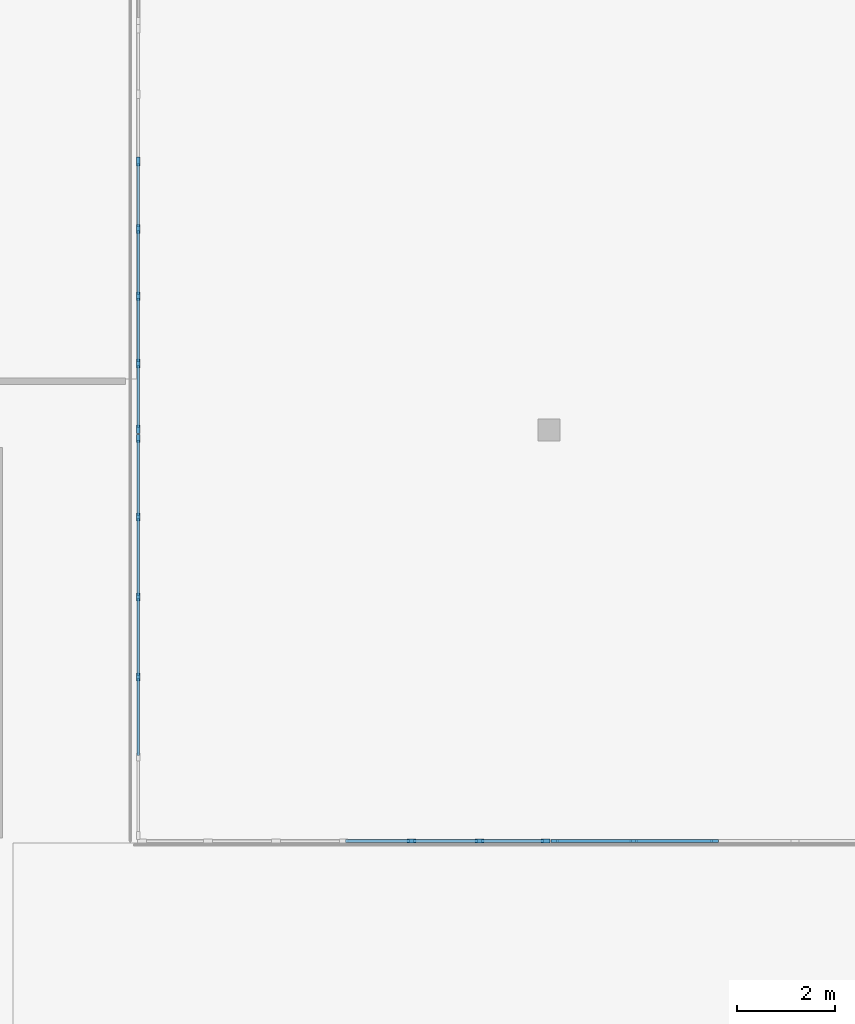
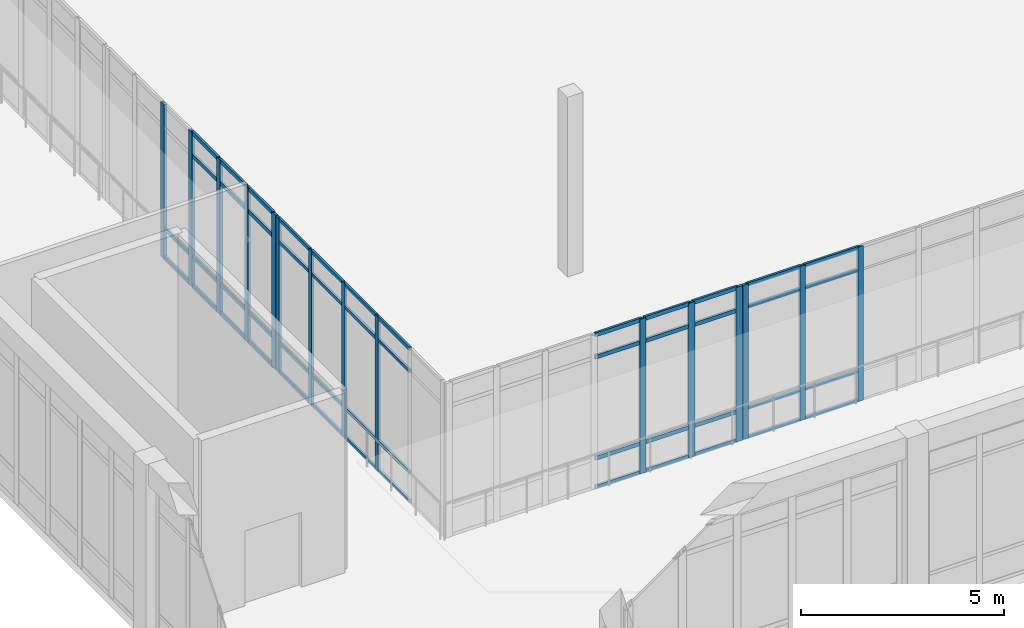
# One storey, part 17 of 157: 65 members, 4 elements without a shape of their own.
"""IFC4 building model written with IfcOpenShell, lengths in metres."""

from ifc_helpers import new_model, si_unit, direction, frame, origin, origin_2d, place, context, subcontext, project, spatial, rectangle, extrude, material, material_profile, profile_set, type_object, element, aggregate, save


model = new_model("IFC4")

# Units and contexts
model_context = context("Model", 3, precision=1e-05, world=origin(), true_north=direction((0.0, 1.0)))
body_context = subcontext(model_context, "Body", "Model", "MODEL_VIEW")
ifc_project = project(units=[si_unit("LENGTHUNIT", "METRE"), si_unit("AREAUNIT", "SQUARE_METRE"), si_unit("VOLUMEUNIT", "CUBIC_METRE"), si_unit("PLANEANGLEUNIT", "RADIAN"), si_unit("MASSUNIT", "GRAM", prefix="KILO")], contexts=[model_context])

# Site, building, storey
site_placement = place(None, origin())
site = spatial("IfcSite", under=ifc_project, at=site_placement, CompositionType="ELEMENT")
building_placement = place(site_placement, origin())
building = spatial("IfcBuilding", under=site, at=building_placement, Name="Varncliffe General Hospital", CompositionType="ELEMENT")
storey_placement = place(building_placement, frame((0.0, 0.0, 5.39990234375)))
storey = spatial("IfcBuildingStorey", under=building, at=storey_placement, Name="L01", CompositionType="ELEMENT", Elevation=5.39990234375)

# Curtain wall, members
ifc_material_1 = material(Name="Triple low-E argon insulated vision glazing", Category="glass")
curtain_wall_type_1 = type_object("IfcCurtainWallType", Name="Unitised Glazed Curtain Wall CW74 (8320x4640)", PredefinedType="USERDEFINED", material=ifc_material_1)
curtain_wall_1_placement = place(storey_placement, origin())
curtain_wall_1 = element("IfcCurtainWall", 1, at=curtain_wall_1_placement, inside=storey, type_object=curtain_wall_type_1, Name="L01 Glazed Curtain Wall CW74-91", ObjectType="GLAZED CURTAIN WALL", PredefinedType="USERDEFINED")
ifc_material_2 = material(Name="Dark bronze thermally broken aluminium framing", Category="aluminium")
ifc_material_profile_1 = material_profile(ifc_material_2, rectangle(XDim=0.074951171875, YDim=0.179931640625, at=origin_2d()), Name="ALU 75x180")
ifc_profile_set_1 = profile_set([ifc_material_profile_1], Name="Dark bronze thermally broken aluminium framing")
member_type_1 = type_object("IfcMemberType", Name="Curtain Wall Mullion CM44 (ALU 75x180)", PredefinedType="MULLION", material=ifc_profile_set_1)
member_1_placement = place(storey_placement, frame((72.78662109375, 15.60009765625, 0.0), z_axis=(0.0, 0.0, 1.0), x_axis=(0.0, 1.0, 0.0)))
member_1 = element("IfcMember", 2, at=member_1_placement, type_object=member_type_1, Name="CW74 mullion 5", PredefinedType="MULLION", context=body_context, shape_type="SweptSolid", body=[
    extrude(rectangle(XDim=0.074951171875, YDim=0.179931640625, at=origin_2d()), origin(), (0.0, 0.0, 1.0), 4.64013671875),
])
member_2_placement = place(storey_placement, frame((74.17333984375, 15.60009765625, 0.0), z_axis=(0.0, 0.0, 1.0), x_axis=(0.0, 1.0, 0.0)))
member_2 = element("IfcMember", 3, at=member_2_placement, type_object=member_type_1, Name="CW74 mullion 6", PredefinedType="MULLION", context=body_context, shape_type="SweptSolid", body=[
    extrude(rectangle(XDim=0.074951171875, YDim=0.179931640625, at=origin_2d()), origin(), (0.0, 0.0, 1.0), 4.64013671875),
])
member_3_placement = place(storey_placement, frame((75.5224609375, 15.60009765625, 0.0), z_axis=(0.0, 0.0, 1.0), x_axis=(0.0, 1.0, 0.0)))
member_3 = element("IfcMember", 4, at=member_3_placement, type_object=member_type_1, Name="CW74 mullion 7", PredefinedType="MULLION", context=body_context, shape_type="SweptSolid", body=[
    extrude(rectangle(XDim=0.074951171875, YDim=0.179931640625, at=origin_2d()), origin(), (0.0, 0.0, 1.0), 4.64013671875),
])

curtain_wall_type_2 = type_object("IfcCurtainWallType", Name="Unitised Glazed Curtain Wall CW14 (8260x4640)", PredefinedType="USERDEFINED", material=ifc_material_1)
curtain_wall_2_placement = place(storey_placement, origin())
curtain_wall_2 = element("IfcCurtainWall", 5, at=curtain_wall_2_placement, inside=storey, type_object=curtain_wall_type_2, Name="L01 Glazed Curtain Wall CW14-109", ObjectType="GLAZED CURTAIN WALL", PredefinedType="USERDEFINED")
member_4_placement = place(storey_placement, frame((67.199951171875, 29.4873046875, 0.0), z_axis=(0.0, 0.0, 1.0), x_axis=(1.0, 0.0, 0.0)))
member_4 = element("IfcMember", 6, at=member_4_placement, type_object=member_type_1, Name="CW14 mullion 3", PredefinedType="MULLION", context=body_context, shape_type="SweptSolid", body=[
    extrude(rectangle(XDim=0.074951171875, YDim=0.179931640625, at=origin_2d()), origin(), (0.0, 0.0, 1.0), 4.64013671875),
])
member_5_placement = place(storey_placement, frame((67.199951171875, 28.110595703125, 0.0), z_axis=(0.0, 0.0, 1.0), x_axis=(1.0, 0.0, 0.0)))
member_5 = element("IfcMember", 7, at=member_5_placement, type_object=member_type_1, Name="CW14 mullion 4", PredefinedType="MULLION", context=body_context, shape_type="SweptSolid", body=[
    extrude(rectangle(XDim=0.074951171875, YDim=0.179931640625, at=origin_2d()), origin(), (0.0, 0.0, 1.0), 4.64013671875),
])
member_6_placement = place(storey_placement, frame((67.199951171875, 26.73388671875, 0.0), z_axis=(0.0, 0.0, 1.0), x_axis=(1.0, 0.0, 0.0)))
member_6 = element("IfcMember", 8, at=member_6_placement, type_object=member_type_1, Name="CW14 mullion 5", PredefinedType="MULLION", context=body_context, shape_type="SweptSolid", body=[
    extrude(rectangle(XDim=0.074951171875, YDim=0.179931640625, at=origin_2d()), origin(), (0.0, 0.0, 1.0), 4.64013671875),
])
member_7_placement = place(storey_placement, frame((67.199951171875, 25.357177734375, 0.0), z_axis=(0.0, 0.0, 1.0), x_axis=(1.0, 0.0, 0.0)))
member_7 = element("IfcMember", 9, at=member_7_placement, type_object=member_type_1, Name="CW14 mullion 6", PredefinedType="MULLION", context=body_context, shape_type="SweptSolid", body=[
    extrude(rectangle(XDim=0.074951171875, YDim=0.179931640625, at=origin_2d()), origin(), (0.0, 0.0, 1.0), 4.64013671875),
])
member_8_placement = place(storey_placement, frame((67.199951171875, 24.017822265625, 0.0), z_axis=(0.0, 0.0, 1.0), x_axis=(1.0, 0.0, 0.0)))
member_8 = element("IfcMember", 10, at=member_8_placement, type_object=member_type_1, Name="CW14 mullion 7", PredefinedType="MULLION", context=body_context, shape_type="SweptSolid", body=[
    extrude(rectangle(XDim=0.074951171875, YDim=0.179931640625, at=origin_2d()), origin(), (0.0, 0.0, 1.0), 4.64013671875),
])

curtain_wall_type_3 = type_object("IfcCurtainWallType", Name="Unitised Glazed Curtain Wall CW56 (8240x4640)", PredefinedType="USERDEFINED", material=ifc_material_1)
curtain_wall_3_placement = place(storey_placement, origin())
curtain_wall_3 = element("IfcCurtainWall", 11, at=curtain_wall_3_placement, inside=storey, type_object=curtain_wall_type_3, Name="L01 Glazed Curtain Wall CW56-92", ObjectType="GLAZED CURTAIN WALL", PredefinedType="USERDEFINED")
ifc_material_profile_2 = material_profile(ifc_material_2, rectangle(XDim=0.06494140625, YDim=0.159912109375, at=origin_2d()), Name="ALU 65x160")
ifc_profile_set_2 = profile_set([ifc_material_profile_2], Name="Dark bronze thermally broken aluminium framing")
member_type_2 = type_object("IfcMemberType", Name="Curtain Wall Mullion CM65 (ALU 65x160)", PredefinedType="MULLION", material=ifc_profile_set_2)
member_9_placement = place(storey_placement, frame((75.71240234375, 15.60009765625, 0.0), z_axis=(0.0, 0.0, 1.0), x_axis=(0.0, 1.0, 0.0)))
member_9 = element("IfcMember", 12, at=member_9_placement, type_object=member_type_2, Name="CW56 mullion 1", PredefinedType="MULLION", context=body_context, shape_type="SweptSolid", body=[
    extrude(rectangle(XDim=0.06494140625, YDim=0.159912109375, at=origin_2d()), origin(), (0.0, 0.0, 1.0), 4.64013671875),
])
member_10_placement = place(storey_placement, frame((77.327880859375, 15.60009765625, 0.0), z_axis=(0.0, 0.0, 1.0), x_axis=(0.0, 1.0, 0.0)))
member_10 = element("IfcMember", 13, at=member_10_placement, type_object=member_type_2, Name="CW56 mullion 2", PredefinedType="MULLION", context=body_context, shape_type="SweptSolid", body=[
    extrude(rectangle(XDim=0.06494140625, YDim=0.159912109375, at=origin_2d()), origin(), (0.0, 0.0, 1.0), 4.64013671875),
])
member_11_placement = place(storey_placement, frame((78.97607421875, 15.60009765625, 0.0), z_axis=(0.0, 0.0, 1.0), x_axis=(0.0, 1.0, 0.0)))
member_11 = element("IfcMember", 14, at=member_11_placement, type_object=member_type_2, Name="CW56 mullion 3", PredefinedType="MULLION", context=body_context, shape_type="SweptSolid", body=[
    extrude(rectangle(XDim=0.06494140625, YDim=0.159912109375, at=origin_2d()), origin(), (0.0, 0.0, 1.0), 4.64013671875),
])

curtain_wall_type_4 = type_object("IfcCurtainWallType", Name="Unitised Glazed Curtain Wall CW16 (8180x4640)", PredefinedType="USERDEFINED", material=ifc_material_1)
curtain_wall_4_placement = place(storey_placement, origin())
curtain_wall_4 = element("IfcCurtainWall", 15, at=curtain_wall_4_placement, inside=storey, type_object=curtain_wall_type_4, Name="L01 Glazed Curtain Wall CW16-110", ObjectType="GLAZED CURTAIN WALL", PredefinedType="USERDEFINED")
member_12_placement = place(storey_placement, frame((67.199951171875, 23.827880859375, 0.0), z_axis=(0.0, 0.0, 1.0), x_axis=(1.0, 0.0, 0.0)))
member_12 = element("IfcMember", 16, at=member_12_placement, type_object=member_type_2, Name="CW16 mullion 1", PredefinedType="MULLION", context=body_context, shape_type="SweptSolid", body=[
    extrude(rectangle(XDim=0.06494140625, YDim=0.159912109375, at=origin_2d()), origin(), (0.0, 0.0, 1.0), 4.64013671875),
])
member_13_placement = place(storey_placement, frame((67.199951171875, 22.224365234375, 0.0), z_axis=(0.0, 0.0, 1.0), x_axis=(1.0, 0.0, 0.0)))
member_13 = element("IfcMember", 17, at=member_13_placement, type_object=member_type_2, Name="CW16 mullion 2", PredefinedType="MULLION", context=body_context, shape_type="SweptSolid", body=[
    extrude(rectangle(XDim=0.06494140625, YDim=0.159912109375, at=origin_2d()), origin(), (0.0, 0.0, 1.0), 4.64013671875),
])
member_14_placement = place(storey_placement, frame((67.199951171875, 20.588134765625, 0.0), z_axis=(0.0, 0.0, 1.0), x_axis=(1.0, 0.0, 0.0)))
member_14 = element("IfcMember", 18, at=member_14_placement, type_object=member_type_2, Name="CW16 mullion 3", PredefinedType="MULLION", context=body_context, shape_type="SweptSolid", body=[
    extrude(rectangle(XDim=0.06494140625, YDim=0.159912109375, at=origin_2d()), origin(), (0.0, 0.0, 1.0), 4.64013671875),
])
member_15_placement = place(storey_placement, frame((67.199951171875, 18.9521484375, 0.0), z_axis=(0.0, 0.0, 1.0), x_axis=(1.0, 0.0, 0.0)))
member_15 = element("IfcMember", 19, at=member_15_placement, type_object=member_type_2, Name="CW16 mullion 4", PredefinedType="MULLION", context=body_context, shape_type="SweptSolid", body=[
    extrude(rectangle(XDim=0.06494140625, YDim=0.159912109375, at=origin_2d()), origin(), (0.0, 0.0, 1.0), 4.64013671875),
])

# Member
ifc_material_profile_3 = material_profile(ifc_material_2, rectangle(XDim=0.06005859375, YDim=0.1201171875, at=origin_2d()), Name="ALU 60x120")
ifc_profile_set_3 = profile_set([ifc_material_profile_3], Name="Dark bronze thermally broken aluminium framing")
member_type_3 = type_object("IfcMemberType", Name="Curtain Wall Transom CT14 (ALU 60x120)", PredefinedType="USERDEFINED", material=ifc_profile_set_3)
member_16_placement = place(storey_placement, frame((71.4375, 15.60009765625, 0.030029296875), z_axis=(1.0, 0.0, 0.0), x_axis=(0.0, 1.0, 0.0)))
member_16 = element("IfcMember", 20, at=member_16_placement, type_object=member_type_3, Name="CW74 transom 4.1", ObjectType="TRANSOM", PredefinedType="USERDEFINED", context=body_context, shape_type="SweptSolid", body=[
    extrude(rectangle(XDim=0.06005859375, YDim=0.1201171875, at=origin_2d()), origin(), (0.0, 0.0, 1.0), 1.311767578125),
])

member_17_placement = place(storey_placement, frame((71.4375, 15.60009765625, 0.900146484375), z_axis=(1.0, 0.0, 0.0), x_axis=(0.0, 1.0, 0.0)))
member_17 = element("IfcMember", 21, at=member_17_placement, type_object=member_type_3, Name="CW74 transom 4.2", ObjectType="TRANSOM", PredefinedType="USERDEFINED", context=body_context, shape_type="SweptSolid", body=[
    extrude(rectangle(XDim=0.06005859375, YDim=0.1201171875, at=origin_2d()), origin(), (0.0, 0.0, 1.0), 1.311767578125),
])

member_18_placement = place(storey_placement, frame((71.4375, 15.60009765625, 3.940185546875), z_axis=(1.0, 0.0, 0.0), x_axis=(0.0, 1.0, 0.0)))
member_18 = element("IfcMember", 22, at=member_18_placement, type_object=member_type_3, Name="CW74 transom 4.3", ObjectType="TRANSOM", PredefinedType="USERDEFINED", context=body_context, shape_type="SweptSolid", body=[
    extrude(rectangle(XDim=0.06005859375, YDim=0.1201171875, at=origin_2d()), origin(), (0.0, 0.0, 1.0), 1.311767578125),
])

member_19_placement = place(storey_placement, frame((71.4375, 15.60009765625, 4.610107421875), z_axis=(1.0, 0.0, 0.0), x_axis=(0.0, 1.0, 0.0)))
member_19 = element("IfcMember", 23, at=member_19_placement, type_object=member_type_3, Name="CW74 transom 4.4", ObjectType="TRANSOM", PredefinedType="USERDEFINED", context=body_context, shape_type="SweptSolid", body=[
    extrude(rectangle(XDim=0.06005859375, YDim=0.1201171875, at=origin_2d()), origin(), (0.0, 0.0, 1.0), 1.311767578125),
])

member_20_placement = place(storey_placement, frame((72.82421875, 15.60009765625, 0.030029296875), z_axis=(1.0, 0.0, 0.0), x_axis=(0.0, 1.0, 0.0)))
member_20 = element("IfcMember", 24, at=member_20_placement, type_object=member_type_3, Name="CW74 transom 5.1", ObjectType="TRANSOM", PredefinedType="USERDEFINED", context=body_context, shape_type="SweptSolid", body=[
    extrude(rectangle(XDim=0.06005859375, YDim=0.1201171875, at=origin_2d()), origin(), (0.0, 0.0, 1.0), 1.3115234375),
])

member_21_placement = place(storey_placement, frame((72.82421875, 15.60009765625, 0.900146484375), z_axis=(1.0, 0.0, 0.0), x_axis=(0.0, 1.0, 0.0)))
member_21 = element("IfcMember", 25, at=member_21_placement, type_object=member_type_3, Name="CW74 transom 5.2", ObjectType="TRANSOM", PredefinedType="USERDEFINED", context=body_context, shape_type="SweptSolid", body=[
    extrude(rectangle(XDim=0.06005859375, YDim=0.1201171875, at=origin_2d()), origin(), (0.0, 0.0, 1.0), 1.3115234375),
])

member_22_placement = place(storey_placement, frame((72.82421875, 15.60009765625, 3.940185546875), z_axis=(1.0, 0.0, 0.0), x_axis=(0.0, 1.0, 0.0)))
member_22 = element("IfcMember", 26, at=member_22_placement, type_object=member_type_3, Name="CW74 transom 5.3", ObjectType="TRANSOM", PredefinedType="USERDEFINED", context=body_context, shape_type="SweptSolid", body=[
    extrude(rectangle(XDim=0.06005859375, YDim=0.1201171875, at=origin_2d()), origin(), (0.0, 0.0, 1.0), 1.3115234375),
])

member_23_placement = place(storey_placement, frame((72.82421875, 15.60009765625, 4.610107421875), z_axis=(1.0, 0.0, 0.0), x_axis=(0.0, 1.0, 0.0)))
member_23 = element("IfcMember", 27, at=member_23_placement, type_object=member_type_3, Name="CW74 transom 5.4", ObjectType="TRANSOM", PredefinedType="USERDEFINED", context=body_context, shape_type="SweptSolid", body=[
    extrude(rectangle(XDim=0.06005859375, YDim=0.1201171875, at=origin_2d()), origin(), (0.0, 0.0, 1.0), 1.3115234375),
])

member_24_placement = place(storey_placement, frame((74.2109375, 15.60009765625, 0.030029296875), z_axis=(1.0, 0.0, 0.0), x_axis=(0.0, 1.0, 0.0)))
member_24 = element("IfcMember", 28, at=member_24_placement, type_object=member_type_3, Name="CW74 transom 6.1", ObjectType="TRANSOM", PredefinedType="USERDEFINED", context=body_context, shape_type="SweptSolid", body=[
    extrude(rectangle(XDim=0.06005859375, YDim=0.1201171875, at=origin_2d()), origin(), (0.0, 0.0, 1.0), 1.274169921875),
])

member_25_placement = place(storey_placement, frame((74.2109375, 15.60009765625, 0.900146484375), z_axis=(1.0, 0.0, 0.0), x_axis=(0.0, 1.0, 0.0)))
member_25 = element("IfcMember", 29, at=member_25_placement, type_object=member_type_3, Name="CW74 transom 6.2", ObjectType="TRANSOM", PredefinedType="USERDEFINED", context=body_context, shape_type="SweptSolid", body=[
    extrude(rectangle(XDim=0.06005859375, YDim=0.1201171875, at=origin_2d()), origin(), (0.0, 0.0, 1.0), 1.274169921875),
])

member_26_placement = place(storey_placement, frame((74.2109375, 15.60009765625, 3.940185546875), z_axis=(1.0, 0.0, 0.0), x_axis=(0.0, 1.0, 0.0)))
member_26 = element("IfcMember", 30, at=member_26_placement, type_object=member_type_3, Name="CW74 transom 6.3", ObjectType="TRANSOM", PredefinedType="USERDEFINED", context=body_context, shape_type="SweptSolid", body=[
    extrude(rectangle(XDim=0.06005859375, YDim=0.1201171875, at=origin_2d()), origin(), (0.0, 0.0, 1.0), 1.274169921875),
])

member_27_placement = place(storey_placement, frame((74.2109375, 15.60009765625, 4.610107421875), z_axis=(1.0, 0.0, 0.0), x_axis=(0.0, 1.0, 0.0)))
member_27 = element("IfcMember", 31, at=member_27_placement, type_object=member_type_3, Name="CW74 transom 6.4", ObjectType="TRANSOM", PredefinedType="USERDEFINED", context=body_context, shape_type="SweptSolid", body=[
    extrude(rectangle(XDim=0.06005859375, YDim=0.1201171875, at=origin_2d()), origin(), (0.0, 0.0, 1.0), 1.274169921875),
])

aggregate(curtain_wall_1, [member_1, member_2, member_3, member_16, member_17, member_18, member_19, member_20, member_21, member_22, member_23, member_24, member_25, member_26, member_27])

member_28_placement = place(storey_placement, frame((67.199951171875, 29.449951171875, 0.030029296875), z_axis=(0.0, -1.0, 0.0), x_axis=(1.0, 0.0, 0.0)))
member_28 = element("IfcMember", 32, at=member_28_placement, type_object=member_type_3, Name="CW14 transom 3.1", ObjectType="TRANSOM", PredefinedType="USERDEFINED", context=body_context, shape_type="SweptSolid", body=[
    extrude(rectangle(XDim=0.06005859375, YDim=0.1201171875, at=origin_2d()), origin(), (0.0, 0.0, 1.0), 1.3017578125),
])

member_29_placement = place(storey_placement, frame((67.199951171875, 29.449951171875, 0.900146484375), z_axis=(0.0, -1.0, 0.0), x_axis=(1.0, 0.0, 0.0)))
member_29 = element("IfcMember", 33, at=member_29_placement, type_object=member_type_3, Name="CW14 transom 3.2", ObjectType="TRANSOM", PredefinedType="USERDEFINED", context=body_context, shape_type="SweptSolid", body=[
    extrude(rectangle(XDim=0.06005859375, YDim=0.1201171875, at=origin_2d()), origin(), (0.0, 0.0, 1.0), 1.3017578125),
])

member_30_placement = place(storey_placement, frame((67.199951171875, 28.072998046875, 0.030029296875), z_axis=(0.0, -1.0, 0.0), x_axis=(1.0, 0.0, 0.0)))
member_30 = element("IfcMember", 34, at=member_30_placement, type_object=member_type_3, Name="CW14 transom 4.1", ObjectType="TRANSOM", PredefinedType="USERDEFINED", context=body_context, shape_type="SweptSolid", body=[
    extrude(rectangle(XDim=0.06005859375, YDim=0.1201171875, at=origin_2d()), origin(), (0.0, 0.0, 1.0), 1.301513671875),
])

member_31_placement = place(storey_placement, frame((67.199951171875, 28.072998046875, 0.900146484375), z_axis=(0.0, -1.0, 0.0), x_axis=(1.0, 0.0, 0.0)))
member_31 = element("IfcMember", 35, at=member_31_placement, type_object=member_type_3, Name="CW14 transom 4.2", ObjectType="TRANSOM", PredefinedType="USERDEFINED", context=body_context, shape_type="SweptSolid", body=[
    extrude(rectangle(XDim=0.06005859375, YDim=0.1201171875, at=origin_2d()), origin(), (0.0, 0.0, 1.0), 1.301513671875),
])

member_32_placement = place(storey_placement, frame((67.199951171875, 28.072998046875, 3.940185546875), z_axis=(0.0, -1.0, 0.0), x_axis=(1.0, 0.0, 0.0)))
member_32 = element("IfcMember", 36, at=member_32_placement, type_object=member_type_3, Name="CW14 transom 4.3", ObjectType="TRANSOM", PredefinedType="USERDEFINED", context=body_context, shape_type="SweptSolid", body=[
    extrude(rectangle(XDim=0.06005859375, YDim=0.1201171875, at=origin_2d()), origin(), (0.0, 0.0, 1.0), 1.301513671875),
])

member_33_placement = place(storey_placement, frame((67.199951171875, 28.072998046875, 4.610107421875), z_axis=(0.0, -1.0, 0.0), x_axis=(1.0, 0.0, 0.0)))
member_33 = element("IfcMember", 37, at=member_33_placement, type_object=member_type_3, Name="CW14 transom 4.4", ObjectType="TRANSOM", PredefinedType="USERDEFINED", context=body_context, shape_type="SweptSolid", body=[
    extrude(rectangle(XDim=0.06005859375, YDim=0.1201171875, at=origin_2d()), origin(), (0.0, 0.0, 1.0), 1.301513671875),
])

member_34_placement = place(storey_placement, frame((67.199951171875, 26.6962890625, 0.030029296875), z_axis=(0.0, -1.0, 0.0), x_axis=(1.0, 0.0, 0.0)))
member_34 = element("IfcMember", 38, at=member_34_placement, type_object=member_type_3, Name="CW14 transom 5.1", ObjectType="TRANSOM", PredefinedType="USERDEFINED", context=body_context, shape_type="SweptSolid", body=[
    extrude(rectangle(XDim=0.06005859375, YDim=0.1201171875, at=origin_2d()), origin(), (0.0, 0.0, 1.0), 1.3017578125),
])

member_35_placement = place(storey_placement, frame((67.199951171875, 26.6962890625, 0.900146484375), z_axis=(0.0, -1.0, 0.0), x_axis=(1.0, 0.0, 0.0)))
member_35 = element("IfcMember", 39, at=member_35_placement, type_object=member_type_3, Name="CW14 transom 5.2", ObjectType="TRANSOM", PredefinedType="USERDEFINED", context=body_context, shape_type="SweptSolid", body=[
    extrude(rectangle(XDim=0.06005859375, YDim=0.1201171875, at=origin_2d()), origin(), (0.0, 0.0, 1.0), 1.3017578125),
])

member_36_placement = place(storey_placement, frame((67.199951171875, 26.6962890625, 3.940185546875), z_axis=(0.0, -1.0, 0.0), x_axis=(1.0, 0.0, 0.0)))
member_36 = element("IfcMember", 40, at=member_36_placement, type_object=member_type_3, Name="CW14 transom 5.3", ObjectType="TRANSOM", PredefinedType="USERDEFINED", context=body_context, shape_type="SweptSolid", body=[
    extrude(rectangle(XDim=0.06005859375, YDim=0.1201171875, at=origin_2d()), origin(), (0.0, 0.0, 1.0), 1.3017578125),
])

member_37_placement = place(storey_placement, frame((67.199951171875, 26.6962890625, 4.610107421875), z_axis=(0.0, -1.0, 0.0), x_axis=(1.0, 0.0, 0.0)))
member_37 = element("IfcMember", 41, at=member_37_placement, type_object=member_type_3, Name="CW14 transom 5.4", ObjectType="TRANSOM", PredefinedType="USERDEFINED", context=body_context, shape_type="SweptSolid", body=[
    extrude(rectangle(XDim=0.06005859375, YDim=0.1201171875, at=origin_2d()), origin(), (0.0, 0.0, 1.0), 1.3017578125),
])

member_38_placement = place(storey_placement, frame((67.199951171875, 25.319580078125, 0.030029296875), z_axis=(0.0, -1.0, 0.0), x_axis=(1.0, 0.0, 0.0)))
member_38 = element("IfcMember", 42, at=member_38_placement, type_object=member_type_3, Name="CW14 transom 6.1", ObjectType="TRANSOM", PredefinedType="USERDEFINED", context=body_context, shape_type="SweptSolid", body=[
    extrude(rectangle(XDim=0.06005859375, YDim=0.1201171875, at=origin_2d()), origin(), (0.0, 0.0, 1.0), 1.26416015625),
])

member_39_placement = place(storey_placement, frame((67.199951171875, 25.319580078125, 0.900146484375), z_axis=(0.0, -1.0, 0.0), x_axis=(1.0, 0.0, 0.0)))
member_39 = element("IfcMember", 43, at=member_39_placement, type_object=member_type_3, Name="CW14 transom 6.2", ObjectType="TRANSOM", PredefinedType="USERDEFINED", context=body_context, shape_type="SweptSolid", body=[
    extrude(rectangle(XDim=0.06005859375, YDim=0.1201171875, at=origin_2d()), origin(), (0.0, 0.0, 1.0), 1.26416015625),
])

member_40_placement = place(storey_placement, frame((67.199951171875, 25.319580078125, 3.940185546875), z_axis=(0.0, -1.0, 0.0), x_axis=(1.0, 0.0, 0.0)))
member_40 = element("IfcMember", 44, at=member_40_placement, type_object=member_type_3, Name="CW14 transom 6.3", ObjectType="TRANSOM", PredefinedType="USERDEFINED", context=body_context, shape_type="SweptSolid", body=[
    extrude(rectangle(XDim=0.06005859375, YDim=0.1201171875, at=origin_2d()), origin(), (0.0, 0.0, 1.0), 1.26416015625),
])

member_41_placement = place(storey_placement, frame((67.199951171875, 25.319580078125, 4.610107421875), z_axis=(0.0, -1.0, 0.0), x_axis=(1.0, 0.0, 0.0)))
member_41 = element("IfcMember", 45, at=member_41_placement, type_object=member_type_3, Name="CW14 transom 6.4", ObjectType="TRANSOM", PredefinedType="USERDEFINED", context=body_context, shape_type="SweptSolid", body=[
    extrude(rectangle(XDim=0.06005859375, YDim=0.1201171875, at=origin_2d()), origin(), (0.0, 0.0, 1.0), 1.26416015625),
])

aggregate(curtain_wall_2, [member_4, member_5, member_6, member_7, member_8, member_28, member_29, member_30, member_31, member_32, member_33, member_34, member_35, member_36, member_37, member_38, member_39, member_40, member_41])

ifc_material_profile_4 = material_profile(ifc_material_2, rectangle(XDim=0.06005859375, YDim=0.10009765625, at=origin_2d()), Name="ALU 60x100")
ifc_profile_set_4 = profile_set([ifc_material_profile_4], Name="Dark bronze thermally broken aluminium framing")
member_type_4 = type_object("IfcMemberType", Name="Curtain Wall Transom CT18 (ALU 60x100)", PredefinedType="USERDEFINED", material=ifc_profile_set_4)
member_42_placement = place(storey_placement, frame((75.7451171875, 15.60009765625, 0.030029296875), z_axis=(1.0, 0.0, 0.0), x_axis=(0.0, 1.0, 0.0)))
member_42 = element("IfcMember", 46, at=member_42_placement, type_object=member_type_4, Name="CW56 transom 1.1", ObjectType="TRANSOM", PredefinedType="USERDEFINED", context=body_context, shape_type="SweptSolid", body=[
    extrude(rectangle(XDim=0.06005859375, YDim=0.10009765625, at=origin_2d()), origin(), (0.0, 0.0, 1.0), 1.55029296875),
])

member_43_placement = place(storey_placement, frame((75.7451171875, 15.60009765625, 0.900146484375), z_axis=(1.0, 0.0, 0.0), x_axis=(0.0, 1.0, 0.0)))
member_43 = element("IfcMember", 47, at=member_43_placement, type_object=member_type_4, Name="CW56 transom 1.2", ObjectType="TRANSOM", PredefinedType="USERDEFINED", context=body_context, shape_type="SweptSolid", body=[
    extrude(rectangle(XDim=0.06005859375, YDim=0.10009765625, at=origin_2d()), origin(), (0.0, 0.0, 1.0), 1.55029296875),
])

member_44_placement = place(storey_placement, frame((75.7451171875, 15.60009765625, 3.940185546875), z_axis=(1.0, 0.0, 0.0), x_axis=(0.0, 1.0, 0.0)))
member_44 = element("IfcMember", 48, at=member_44_placement, type_object=member_type_4, Name="CW56 transom 1.3", ObjectType="TRANSOM", PredefinedType="USERDEFINED", context=body_context, shape_type="SweptSolid", body=[
    extrude(rectangle(XDim=0.06005859375, YDim=0.10009765625, at=origin_2d()), origin(), (0.0, 0.0, 1.0), 1.55029296875),
])

member_45_placement = place(storey_placement, frame((75.7451171875, 15.60009765625, 4.610107421875), z_axis=(1.0, 0.0, 0.0), x_axis=(0.0, 1.0, 0.0)))
member_45 = element("IfcMember", 49, at=member_45_placement, type_object=member_type_4, Name="CW56 transom 1.4", ObjectType="TRANSOM", PredefinedType="USERDEFINED", context=body_context, shape_type="SweptSolid", body=[
    extrude(rectangle(XDim=0.06005859375, YDim=0.10009765625, at=origin_2d()), origin(), (0.0, 0.0, 1.0), 1.55029296875),
])

member_46_placement = place(storey_placement, frame((77.360595703125, 15.60009765625, 0.030029296875), z_axis=(1.0, 0.0, 0.0), x_axis=(0.0, 1.0, 0.0)))
member_46 = element("IfcMember", 50, at=member_46_placement, type_object=member_type_4, Name="CW56 transom 2.1", ObjectType="TRANSOM", PredefinedType="USERDEFINED", context=body_context, shape_type="SweptSolid", body=[
    extrude(rectangle(XDim=0.06005859375, YDim=0.10009765625, at=origin_2d()), origin(), (0.0, 0.0, 1.0), 1.5830078125),
])

member_47_placement = place(storey_placement, frame((77.360595703125, 15.60009765625, 0.900146484375), z_axis=(1.0, 0.0, 0.0), x_axis=(0.0, 1.0, 0.0)))
member_47 = element("IfcMember", 51, at=member_47_placement, type_object=member_type_4, Name="CW56 transom 2.2", ObjectType="TRANSOM", PredefinedType="USERDEFINED", context=body_context, shape_type="SweptSolid", body=[
    extrude(rectangle(XDim=0.06005859375, YDim=0.10009765625, at=origin_2d()), origin(), (0.0, 0.0, 1.0), 1.5830078125),
])

member_48_placement = place(storey_placement, frame((77.360595703125, 15.60009765625, 3.940185546875), z_axis=(1.0, 0.0, 0.0), x_axis=(0.0, 1.0, 0.0)))
member_48 = element("IfcMember", 52, at=member_48_placement, type_object=member_type_4, Name="CW56 transom 2.3", ObjectType="TRANSOM", PredefinedType="USERDEFINED", context=body_context, shape_type="SweptSolid", body=[
    extrude(rectangle(XDim=0.06005859375, YDim=0.10009765625, at=origin_2d()), origin(), (0.0, 0.0, 1.0), 1.5830078125),
])

member_49_placement = place(storey_placement, frame((77.360595703125, 15.60009765625, 4.610107421875), z_axis=(1.0, 0.0, 0.0), x_axis=(0.0, 1.0, 0.0)))
member_49 = element("IfcMember", 53, at=member_49_placement, type_object=member_type_4, Name="CW56 transom 2.4", ObjectType="TRANSOM", PredefinedType="USERDEFINED", context=body_context, shape_type="SweptSolid", body=[
    extrude(rectangle(XDim=0.06005859375, YDim=0.10009765625, at=origin_2d()), origin(), (0.0, 0.0, 1.0), 1.5830078125),
])

aggregate(curtain_wall_3, [member_9, member_10, member_11, member_42, member_43, member_44, member_45, member_46, member_47, member_48, member_49])

member_50_placement = place(storey_placement, frame((67.199951171875, 23.79541015625, 0.030029296875), z_axis=(0.0, -1.0, 0.0), x_axis=(1.0, 0.0, 0.0)))
member_50 = element("IfcMember", 54, at=member_50_placement, type_object=member_type_4, Name="CW16 transom 1.1", ObjectType="TRANSOM", PredefinedType="USERDEFINED", context=body_context, shape_type="SweptSolid", body=[
    extrude(rectangle(XDim=0.06005859375, YDim=0.10009765625, at=origin_2d()), origin(), (0.0, 0.0, 1.0), 1.53857421875),
])

member_51_placement = place(storey_placement, frame((67.199951171875, 23.79541015625, 0.900146484375), z_axis=(0.0, -1.0, 0.0), x_axis=(1.0, 0.0, 0.0)))
member_51 = element("IfcMember", 55, at=member_51_placement, type_object=member_type_4, Name="CW16 transom 1.2", ObjectType="TRANSOM", PredefinedType="USERDEFINED", context=body_context, shape_type="SweptSolid", body=[
    extrude(rectangle(XDim=0.06005859375, YDim=0.10009765625, at=origin_2d()), origin(), (0.0, 0.0, 1.0), 1.53857421875),
])

member_52_placement = place(storey_placement, frame((67.199951171875, 23.79541015625, 3.940185546875), z_axis=(0.0, -1.0, 0.0), x_axis=(1.0, 0.0, 0.0)))
member_52 = element("IfcMember", 56, at=member_52_placement, type_object=member_type_4, Name="CW16 transom 1.3", ObjectType="TRANSOM", PredefinedType="USERDEFINED", context=body_context, shape_type="SweptSolid", body=[
    extrude(rectangle(XDim=0.06005859375, YDim=0.10009765625, at=origin_2d()), origin(), (0.0, 0.0, 1.0), 1.53857421875),
])

member_53_placement = place(storey_placement, frame((67.199951171875, 23.79541015625, 4.610107421875), z_axis=(0.0, -1.0, 0.0), x_axis=(1.0, 0.0, 0.0)))
member_53 = element("IfcMember", 57, at=member_53_placement, type_object=member_type_4, Name="CW16 transom 1.4", ObjectType="TRANSOM", PredefinedType="USERDEFINED", context=body_context, shape_type="SweptSolid", body=[
    extrude(rectangle(XDim=0.06005859375, YDim=0.10009765625, at=origin_2d()), origin(), (0.0, 0.0, 1.0), 1.53857421875),
])

member_54_placement = place(storey_placement, frame((67.199951171875, 22.19189453125, 0.030029296875), z_axis=(0.0, -1.0, 0.0), x_axis=(1.0, 0.0, 0.0)))
member_54 = element("IfcMember", 58, at=member_54_placement, type_object=member_type_4, Name="CW16 transom 2.1", ObjectType="TRANSOM", PredefinedType="USERDEFINED", context=body_context, shape_type="SweptSolid", body=[
    extrude(rectangle(XDim=0.06005859375, YDim=0.10009765625, at=origin_2d()), origin(), (0.0, 0.0, 1.0), 1.571044921875),
])

member_55_placement = place(storey_placement, frame((67.199951171875, 22.19189453125, 0.900146484375), z_axis=(0.0, -1.0, 0.0), x_axis=(1.0, 0.0, 0.0)))
member_55 = element("IfcMember", 59, at=member_55_placement, type_object=member_type_4, Name="CW16 transom 2.2", ObjectType="TRANSOM", PredefinedType="USERDEFINED", context=body_context, shape_type="SweptSolid", body=[
    extrude(rectangle(XDim=0.06005859375, YDim=0.10009765625, at=origin_2d()), origin(), (0.0, 0.0, 1.0), 1.571044921875),
])

member_56_placement = place(storey_placement, frame((67.199951171875, 22.19189453125, 3.940185546875), z_axis=(0.0, -1.0, 0.0), x_axis=(1.0, 0.0, 0.0)))
member_56 = element("IfcMember", 60, at=member_56_placement, type_object=member_type_4, Name="CW16 transom 2.3", ObjectType="TRANSOM", PredefinedType="USERDEFINED", context=body_context, shape_type="SweptSolid", body=[
    extrude(rectangle(XDim=0.06005859375, YDim=0.10009765625, at=origin_2d()), origin(), (0.0, 0.0, 1.0), 1.571044921875),
])

member_57_placement = place(storey_placement, frame((67.199951171875, 22.19189453125, 4.610107421875), z_axis=(0.0, -1.0, 0.0), x_axis=(1.0, 0.0, 0.0)))
member_57 = element("IfcMember", 61, at=member_57_placement, type_object=member_type_4, Name="CW16 transom 2.4", ObjectType="TRANSOM", PredefinedType="USERDEFINED", context=body_context, shape_type="SweptSolid", body=[
    extrude(rectangle(XDim=0.06005859375, YDim=0.10009765625, at=origin_2d()), origin(), (0.0, 0.0, 1.0), 1.571044921875),
])

member_58_placement = place(storey_placement, frame((67.199951171875, 20.5556640625, 0.030029296875), z_axis=(0.0, -1.0, 0.0), x_axis=(1.0, 0.0, 0.0)))
member_58 = element("IfcMember", 62, at=member_58_placement, type_object=member_type_4, Name="CW16 transom 3.1", ObjectType="TRANSOM", PredefinedType="USERDEFINED", context=body_context, shape_type="SweptSolid", body=[
    extrude(rectangle(XDim=0.06005859375, YDim=0.10009765625, at=origin_2d()), origin(), (0.0, 0.0, 1.0), 1.571044921875),
])

member_59_placement = place(storey_placement, frame((67.199951171875, 20.5556640625, 0.900146484375), z_axis=(0.0, -1.0, 0.0), x_axis=(1.0, 0.0, 0.0)))
member_59 = element("IfcMember", 63, at=member_59_placement, type_object=member_type_4, Name="CW16 transom 3.2", ObjectType="TRANSOM", PredefinedType="USERDEFINED", context=body_context, shape_type="SweptSolid", body=[
    extrude(rectangle(XDim=0.06005859375, YDim=0.10009765625, at=origin_2d()), origin(), (0.0, 0.0, 1.0), 1.571044921875),
])

member_60_placement = place(storey_placement, frame((67.199951171875, 20.5556640625, 3.940185546875), z_axis=(0.0, -1.0, 0.0), x_axis=(1.0, 0.0, 0.0)))
member_60 = element("IfcMember", 64, at=member_60_placement, type_object=member_type_4, Name="CW16 transom 3.3", ObjectType="TRANSOM", PredefinedType="USERDEFINED", context=body_context, shape_type="SweptSolid", body=[
    extrude(rectangle(XDim=0.06005859375, YDim=0.10009765625, at=origin_2d()), origin(), (0.0, 0.0, 1.0), 1.571044921875),
])

member_61_placement = place(storey_placement, frame((67.199951171875, 20.5556640625, 4.610107421875), z_axis=(0.0, -1.0, 0.0), x_axis=(1.0, 0.0, 0.0)))
member_61 = element("IfcMember", 65, at=member_61_placement, type_object=member_type_4, Name="CW16 transom 3.4", ObjectType="TRANSOM", PredefinedType="USERDEFINED", context=body_context, shape_type="SweptSolid", body=[
    extrude(rectangle(XDim=0.06005859375, YDim=0.10009765625, at=origin_2d()), origin(), (0.0, 0.0, 1.0), 1.571044921875),
])

member_62_placement = place(storey_placement, frame((67.199951171875, 18.919677734375, 0.030029296875), z_axis=(0.0, -1.0, 0.0), x_axis=(1.0, 0.0, 0.0)))
member_62 = element("IfcMember", 66, at=member_62_placement, type_object=member_type_4, Name="CW16 transom 4.1", ObjectType="TRANSOM", PredefinedType="USERDEFINED", context=body_context, shape_type="SweptSolid", body=[
    extrude(rectangle(XDim=0.06005859375, YDim=0.10009765625, at=origin_2d()), origin(), (0.0, 0.0, 1.0), 1.571044921875),
])

member_63_placement = place(storey_placement, frame((67.199951171875, 18.919677734375, 0.900146484375), z_axis=(0.0, -1.0, 0.0), x_axis=(1.0, 0.0, 0.0)))
member_63 = element("IfcMember", 67, at=member_63_placement, type_object=member_type_4, Name="CW16 transom 4.2", ObjectType="TRANSOM", PredefinedType="USERDEFINED", context=body_context, shape_type="SweptSolid", body=[
    extrude(rectangle(XDim=0.06005859375, YDim=0.10009765625, at=origin_2d()), origin(), (0.0, 0.0, 1.0), 1.571044921875),
])

member_64_placement = place(storey_placement, frame((67.199951171875, 18.919677734375, 3.940185546875), z_axis=(0.0, -1.0, 0.0), x_axis=(1.0, 0.0, 0.0)))
member_64 = element("IfcMember", 68, at=member_64_placement, type_object=member_type_4, Name="CW16 transom 4.3", ObjectType="TRANSOM", PredefinedType="USERDEFINED", context=body_context, shape_type="SweptSolid", body=[
    extrude(rectangle(XDim=0.06005859375, YDim=0.10009765625, at=origin_2d()), origin(), (0.0, 0.0, 1.0), 1.571044921875),
])

member_65_placement = place(storey_placement, frame((67.199951171875, 18.919677734375, 4.610107421875), z_axis=(0.0, -1.0, 0.0), x_axis=(1.0, 0.0, 0.0)))
member_65 = element("IfcMember", 69, at=member_65_placement, type_object=member_type_4, Name="CW16 transom 4.4", ObjectType="TRANSOM", PredefinedType="USERDEFINED", context=body_context, shape_type="SweptSolid", body=[
    extrude(rectangle(XDim=0.06005859375, YDim=0.10009765625, at=origin_2d()), origin(), (0.0, 0.0, 1.0), 1.571044921875),
])

aggregate(curtain_wall_4, [member_12, member_13, member_14, member_15, member_50, member_51, member_52, member_53, member_54, member_55, member_56, member_57, member_58, member_59, member_60, member_61, member_62, member_63, member_64, member_65])

save(model, "model.ifc")
